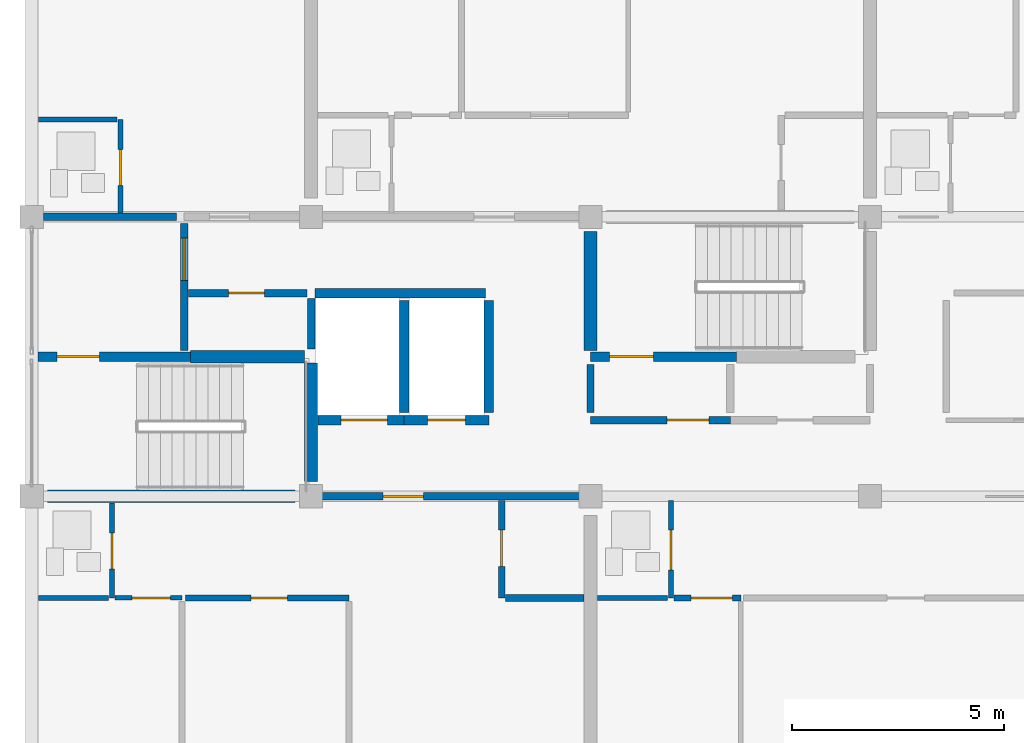
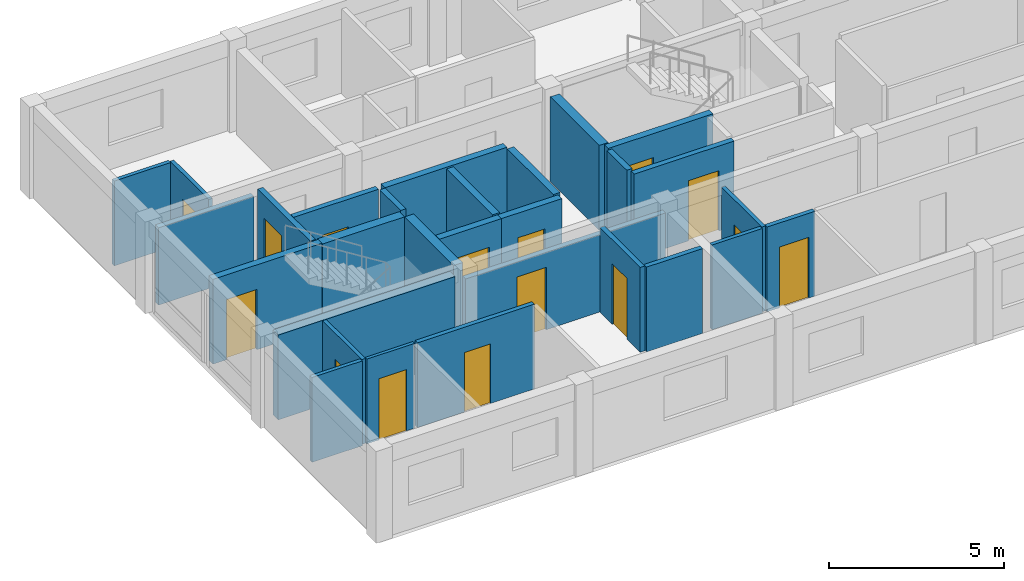
# One storey, part 31 of 45: 29 walls, 15 doors, 15 openings.
"""IFC4 building model written with IfcOpenShell, lengths in metres."""

import ifcopenshell
import ifcopenshell.guid

model = None  # the IFC model being written
_history = None  # IfcOwnerHistory: only IFC2X3 demands one
_inside = {}  # id of a spatial element -> (the spatial element, [elements in it])
_under = {}  # id of a project, library or spatial element -> (it, [spatial elements below it])
_declared = {}  # id of a project -> (the project, [libraries it declares])
_typed = {}  # id of a type object -> (the type object, [elements of that type])
_made_of = {}  # id of a material, layer set ... -> (it, [elements and type objects made of it])


def new_model(schema):
    """Start an empty IFC model of exactly this schema.

    Asked for "IFC4X3", IfcOpenShell would pick the latest addendum, in which some entities
    have other attributes; the version numbers below select the first issue.
    IFC2X3 requires an IfcOwnerHistory on every rooted entity: one is made here for all.
    """
    global model, _history
    if schema == "IFC4X3":
        model = ifcopenshell.file(schema_version=(4, 3, 0, 0))
    else:
        model = ifcopenshell.file(schema=schema)
    _inside.clear()
    _under.clear()
    _declared.clear()
    _typed.clear()
    _made_of.clear()
    _history = None
    if model.schema == "IFC2X3":
        org = make("IfcOrganization", Name="unknown")
        user = make(
            "IfcPersonAndOrganization",
            ThePerson=make("IfcPerson", FamilyName="unknown"),
            TheOrganization=org,
        )
        app = make(
            "IfcApplication",
            ApplicationDeveloper=org,
            Version="unknown",
            ApplicationFullName="unknown",
            ApplicationIdentifier="unknown",
        )
        _history = make(
            "IfcOwnerHistory",
            OwningUser=user,
            OwningApplication=app,
            ChangeAction="ADDED",
            CreationDate=0,
        )
    return model


def make(cls, **values):
    """One entity of the class cls with the attributes given. An attribute that is None is left unset."""
    return model.create_entity(
        cls, **{name: value for name, value in values.items() if value is not None}
    )


def rooted(cls, **values):
    """An entity with a GlobalId (a new one), such as an element, a storey or a relation."""
    return make(cls, GlobalId=ifcopenshell.guid.new(), OwnerHistory=_history, **values)


def si_unit(unit_type, name, prefix=None):
    """IfcSIUnit, for example si_unit("LENGTHUNIT", "METRE", prefix="MILLI")."""
    return make("IfcSIUnit", UnitType=unit_type, Prefix=prefix, Name=name)


def assignment(units):
    """IfcUnitAssignment: the units of a project."""
    return None if units is None else make("IfcUnitAssignment", Units=units)


def point(xyz):
    """IfcCartesianPoint."""
    return None if xyz is None else make("IfcCartesianPoint", Coordinates=xyz)


def direction(xyz):
    """IfcDirection."""
    return None if xyz is None else make("IfcDirection", DirectionRatios=xyz)


def frame(location, z_axis=None, x_axis=None):
    """IfcAxis2Placement3D, a coordinate frame: its origin and axes. An axis left out is left unset."""
    return make(
        "IfcAxis2Placement3D",
        Location=point(location),
        Axis=direction(z_axis),
        RefDirection=direction(x_axis),
    )


def frame_2d(location, x_axis=None):
    """IfcAxis2Placement2D, a coordinate frame in the plane: its origin and x axis."""
    return make(
        "IfcAxis2Placement2D", Location=point(location), RefDirection=direction(x_axis)
    )


def origin():
    """The frame at (0, 0, 0) with its axes left unset."""
    return frame((0.0, 0.0, 0.0))


def place(relative_to, where):
    """IfcLocalPlacement: puts the frame where relative to a parent placement (None: the world)."""
    return make(
        "IfcLocalPlacement", PlacementRelTo=relative_to, RelativePlacement=where
    )


def context(
    kind, dimensions, precision=None, world=None, true_north=None, identifier=None
):
    """IfcGeometricRepresentationContext, for example the 3D "Model" context."""
    return make(
        "IfcGeometricRepresentationContext",
        ContextIdentifier=identifier,
        ContextType=kind,
        CoordinateSpaceDimension=dimensions,
        Precision=precision,
        WorldCoordinateSystem=world,
        TrueNorth=true_north,
    )


def subcontext(parent, identifier, kind, view, scale=None):
    """IfcGeometricRepresentationSubContext, for example "Body" below "Model"."""
    return make(
        "IfcGeometricRepresentationSubContext",
        ContextIdentifier=identifier,
        ContextType=kind,
        ParentContext=parent,
        TargetScale=scale,
        TargetView=view,
    )


def project(units=None, contexts=None):
    """IfcProject with its units and contexts."""
    return rooted(
        "IfcProject",
        Name="project",
        RepresentationContexts=contexts,
        UnitsInContext=assignment(units),
    )


def spatial(cls, under=None, at=None, **own):
    """A site, building, storey or space (cls), placed at a placement, below another one or the project."""
    s = rooted(cls, ObjectPlacement=at, **own)
    if under is not None:
        _under.setdefault(under.id(), (under, []))[1].append(s)
    return s


def profile(cls, at=None, kind="AREA", **sizes):
    """A parametric profile (cls). Its sizes go by their IFC names, for example OverallWidth=200.0."""
    return make(cls, ProfileType=kind, Position=at, **sizes)


def rectangle(**sizes):
    """IfcRectangleProfileDef."""
    return profile("IfcRectangleProfileDef", **sizes)


def extrude(swept, where, along, depth):
    """IfcExtrudedAreaSolid: the profile swept, set in the frame where, extruded along a direction by depth."""
    return make(
        "IfcExtrudedAreaSolid",
        SweptArea=swept,
        Position=where,
        ExtrudedDirection=direction(along),
        Depth=depth,
    )


def shape(context_of_items, identifier, shape_type, items):
    """IfcShapeRepresentation: the items that make up one representation, for example the "Body"."""
    return make(
        "IfcShapeRepresentation",
        ContextOfItems=context_of_items,
        RepresentationIdentifier=identifier,
        RepresentationType=shape_type,
        Items=items,
    )


def material(Name=None, Category=None):
    """IfcMaterial."""
    return make("IfcMaterial", Name=Name, Category=Category)


def layer(
    of_material, thickness, ventilated=None, Name=None, Category=None, Priority=None
):
    """IfcMaterialLayer: one layer of a wall or slab, of a material (None: an air gap)."""
    return make(
        "IfcMaterialLayer",
        Material=of_material,
        LayerThickness=thickness,
        IsVentilated=ventilated,
        Name=Name,
        Category=Category,
        Priority=Priority,
    )


def layer_set(layers, Name=None):
    """IfcMaterialLayerSet."""
    return make("IfcMaterialLayerSet", MaterialLayers=layers, LayerSetName=Name)


def made_of(thing, what):
    """Note that an element or type object is made of a material, layer set ...; save() writes the relation."""
    if what is not None:
        _made_of.setdefault(what.id(), (what, []))[1].append(thing)
    return thing


def type_object(cls, material=None, **own):
    """A type object (cls), such as IfcWallType, which elements share."""
    return made_of(rooted(cls, **own), material)


def element(
    cls,
    number,
    at=None,
    inside=None,
    cuts=None,
    type_object=None,
    material=None,
    context=None,
    identifier="Body",
    shape_type=None,
    held_by="IfcProductDefinitionShape",
    body=None,
    shapes=None,
    **own,
):
    """One element of the class cls, such as IfcWall. Its Tag is "e" and its number.

    at: its placement. inside: the storey or other place that contains it. cuts: it is an
    opening in that element (IfcRelVoidsElement). A single representation is given by context,
    identifier, shape_type and body (its items); several are given by shapes. held_by: the class
    of the entity that holds the representations. save() writes the other relations.
    """
    e = rooted(cls, Tag="e%d" % number, ObjectPlacement=at, **own)
    if body is not None:
        shapes = [shape(context, identifier, shape_type, body)]
    if shapes is not None:
        e.Representation = make(held_by, Representations=shapes)
    if inside is not None:
        _inside.setdefault(inside.id(), (inside, []))[1].append(e)
    if cuts is not None:
        rooted(
            "IfcRelVoidsElement", RelatingBuildingElement=cuts, RelatedOpeningElement=e
        )
    if type_object is not None:
        _typed.setdefault(type_object.id(), (type_object, []))[1].append(e)
    return made_of(e, material)


def fill(opening, filler):
    """IfcRelFillsElement: the door or window that sits in an opening."""
    return rooted(
        "IfcRelFillsElement",
        RelatingOpeningElement=opening,
        RelatedBuildingElement=filler,
    )


def aggregate(whole, parts):
    """IfcRelAggregates: a whole, such as a stair, and the parts it consists of."""
    return rooted("IfcRelAggregates", RelatingObject=whole, RelatedObjects=parts)


def save(model, path):
    """Write the relations noted so far, then the file.

    IfcRelAggregates (storeys below a building ...), IfcRelContainedInSpatialStructure (elements
    in a storey), IfcRelDefinesByType, IfcRelAssociatesMaterial and IfcRelDeclares: one each for
    every whole, place, type object, material and project.
    """
    for whole, parts in _under.values():
        aggregate(whole, parts)
    for where, things in _inside.values():
        rooted(
            "IfcRelContainedInSpatialStructure",
            RelatedElements=things,
            RelatingStructure=where,
        )
    for kind, things in _typed.values():
        rooted("IfcRelDefinesByType", RelatedObjects=things, RelatingType=kind)
    for what, things in _made_of.values():
        rooted("IfcRelAssociatesMaterial", RelatedObjects=things, RelatingMaterial=what)
    for by, libraries in _declared.values():
        rooted("IfcRelDeclares", RelatingContext=by, RelatedDefinitions=libraries)
    model.write(path)


model = new_model("IFC4")

# Units and contexts
model_context = context("Model", 3, precision=1e-05, world=origin(), true_north=direction((0.0, 1.0)))
body_context = subcontext(model_context, "Body", "Model", "MODEL_VIEW")
ifc_project = project(units=[si_unit("LENGTHUNIT", "METRE"), si_unit("AREAUNIT", "SQUARE_METRE"), si_unit("VOLUMEUNIT", "CUBIC_METRE"), si_unit("PLANEANGLEUNIT", "RADIAN"), si_unit("MASSUNIT", "GRAM", prefix="KILO")], contexts=[model_context])

# Site, building, storey
site_placement = place(None, origin())
site = spatial("IfcSite", under=ifc_project, at=site_placement, CompositionType="ELEMENT")
building_placement = place(site_placement, origin())
building = spatial("IfcBuilding", under=site, at=building_placement, Name="Kernevlak Ridge Housing Community", CompositionType="ELEMENT")
storey_placement = place(building_placement, frame((0.0, 0.0, 14.800048828125)))
storey = spatial("IfcBuildingStorey", under=building, at=storey_placement, Name="L04", CompositionType="ELEMENT", Elevation=14.800048828125)

# Wall, opening, door
ifc_material_1 = material(Name="Concrete C35/45", Category="concrete")
ifc_layer_1 = layer(ifc_material_1, 0.22509765625, Name="Concrete C35/45")
ifc_layer_set_1 = layer_set([ifc_layer_1], Name="Concrete C35/45")
wall_type_1 = type_object("IfcWallType", Name="PW-01", PredefinedType="STANDARD", material=ifc_layer_set_1)
wall_1_placement = place(storey_placement, frame((15.75, 85.89990234375, 0.0), z_axis=(0.0, 0.0, 1.0), x_axis=(1.0, 0.0, 0.0)))
wall_1 = element("IfcWall", 1, at=wall_1_placement, inside=storey, type_object=wall_type_1, Name="Interior wall PW-01 WAL-INT-L04-0250", PredefinedType="STANDARD", context=body_context, shape_type="SweptSolid", body=[
    extrude(rectangle(XDim=3.60009765625, YDim=0.22509765625, at=frame_2d((1.800048828125, 0.0))), origin(), (0.0, 0.0, 1.0), 2.9599609375),
])
opening_1_placement = place(wall_1_placement, frame((0.449951171875, 0.0, 0.0)))
opening_1 = element("IfcOpeningElement", 2, at=opening_1_placement, cuts=wall_1, Name="Opening D126", PredefinedType="OPENING", context=body_context, shape_type="SweptSolid", body=[
    extrude(rectangle(XDim=1.0, YDim=2.10009765625, at=frame_2d((0.5, 1.050048828125))), frame((0.0, 0.12255859375, 0.0), z_axis=(0.0, -1.0, 0.0), x_axis=(1.0, 0.0, 0.0)), (0.0, 0.0, 1.0), 0.2451171875),
])
ifc_material_2 = material(Name="Fire-rated sheet steel leaf", Category="steel")
door_type_1 = type_object("IfcDoorType", Name="DT-05", OperationType="NOTDEFINED", PredefinedType="DOOR", material=ifc_material_2)
door_1_placement = place(opening_1_placement, origin())
door_1 = element("IfcDoor", 3, at=door_1_placement, inside=storey, type_object=door_type_1, Name="Block A Stair 1 fire door D126", OperationType="SINGLE_SWING_RIGHT", OverallHeight=2.10009765625, OverallWidth=1.0, PredefinedType="DOOR", context=body_context, shape_type="SweptSolid", body=[
    extrude(rectangle(XDim=1.0, YDim=2.10009765625, at=frame_2d((0.5, 1.050048828125))), frame((0.0, 0.02490234375, 0.0), z_axis=(0.0, -1.0, 0.0), x_axis=(1.0, 0.0, 0.0)), (0.0, 0.0, 1.0), 0.050048828125),
])
fill(opening_1, door_1)

wall_2_placement = place(storey_placement, frame((22.360107421875, 84.39990234375, 0.0), z_axis=(0.0, 0.0, 1.0), x_axis=(1.0, 0.0, 0.0)))
wall_2 = element("IfcWall", 4, at=wall_2_placement, inside=storey, type_object=wall_type_1, Name="Interior wall PW-01 WAL-INT-L04-0254", PredefinedType="STANDARD", context=body_context, shape_type="SweptSolid", body=[
    extrude(rectangle(XDim=2.039794921875, YDim=0.22509765625, at=frame_2d((1.02001953125, 0.0))), origin(), (0.0, 0.0, 1.0), 2.9599609375),
])
opening_2_placement = place(wall_2_placement, frame((0.550048828125, 0.0, 0.0)))
opening_2 = element("IfcOpeningElement", 5, at=opening_2_placement, cuts=wall_2, Name="Opening LD10", PredefinedType="OPENING", context=body_context, shape_type="SweptSolid", body=[
    extrude(rectangle(XDim=1.10009765625, YDim=2.10009765625, at=frame_2d((0.550048828125, 1.050048828125))), frame((0.0, 0.12255859375, 0.0), z_axis=(0.0, -1.0, 0.0), x_axis=(1.0, 0.0, 0.0)), (0.0, 0.0, 1.0), 0.2451171875),
])
ifc_material_3 = material(Name="Stainless steel EN 1.4401", Category="steel")
door_type_2 = type_object("IfcDoorType", Name="DT-LD1", OperationType="DOUBLE_DOOR_SLIDING", PredefinedType="DOOR", material=ifc_material_3)
door_2_placement = place(opening_2_placement, origin())
door_2 = element("IfcDoor", 6, at=door_2_placement, inside=storey, type_object=door_type_2, Name="Lift LF-A1 landing door LD10", OperationType="DOUBLE_DOOR_SLIDING", OverallHeight=2.10009765625, OverallWidth=1.10009765625, PredefinedType="DOOR", context=body_context, shape_type="SweptSolid", body=[
    extrude(rectangle(XDim=1.10009765625, YDim=2.10009765625, at=frame_2d((0.550048828125, 1.050048828125))), frame((0.0, 0.02490234375, 0.0), z_axis=(0.0, -1.0, 0.0), x_axis=(1.0, 0.0, 0.0)), (0.0, 0.0, 1.0), 0.050048828125),
])
fill(opening_2, door_2)

wall_3_placement = place(storey_placement, frame((24.39990234375, 84.39990234375, 0.0), z_axis=(0.0, 0.0, 1.0), x_axis=(1.0, 0.0, 0.0)))
wall_3 = element("IfcWall", 7, at=wall_3_placement, inside=storey, type_object=wall_type_1, Name="Interior wall PW-01 WAL-INT-L04-0255", PredefinedType="STANDARD", context=body_context, shape_type="SweptSolid", body=[
    extrude(rectangle(XDim=2.0, YDim=0.22509765625, at=frame_2d((1.0, 0.0))), origin(), (0.0, 0.0, 1.0), 2.9599609375),
])
opening_3_placement = place(wall_3_placement, frame((0.550048828125, 0.0, 0.0)))
opening_3 = element("IfcOpeningElement", 8, at=opening_3_placement, cuts=wall_3, Name="Opening LD11", PredefinedType="OPENING", context=body_context, shape_type="SweptSolid", body=[
    extrude(rectangle(XDim=0.89990234375, YDim=2.10009765625, at=frame_2d((0.449951171875, 1.050048828125))), frame((0.0, 0.12255859375, 0.0), z_axis=(0.0, -1.0, 0.0), x_axis=(1.0, 0.0, 0.0)), (0.0, 0.0, 1.0), 0.2451171875),
])
door_type_3 = type_object("IfcDoorType", Name="DT-LD2", OperationType="DOUBLE_DOOR_SLIDING", PredefinedType="DOOR", material=ifc_material_3)
door_3_placement = place(opening_3_placement, origin())
door_3 = element("IfcDoor", 9, at=door_3_placement, inside=storey, type_object=door_type_3, Name="Lift LF-A2 landing door LD11", OperationType="DOUBLE_DOOR_SLIDING", OverallHeight=2.10009765625, OverallWidth=0.89990234375, PredefinedType="DOOR", context=body_context, shape_type="SweptSolid", body=[
    extrude(rectangle(XDim=0.89990234375, YDim=2.10009765625, at=frame_2d((0.449951171875, 1.050048828125))), frame((0.0, 0.02490234375, 0.0), z_axis=(0.0, -1.0, 0.0), x_axis=(1.0, 0.0, 0.0)), (0.0, 0.0, 1.0), 0.050048828125),
])
fill(opening_3, door_3)

# Walls
wall_4_placement = place(storey_placement, frame((22.297607421875, 87.39990234375, 0.0), z_axis=(0.0, 0.0, 1.0), x_axis=(1.0, 0.0, 0.0)))
element("IfcWall", 10, at=wall_4_placement, inside=storey, type_object=wall_type_1, Name="Interior wall PW-01 WAL-INT-L04-0256", PredefinedType="STANDARD", context=body_context, shape_type="SweptSolid", body=[
    extrude(rectangle(XDim=4.0224609375, YDim=0.22509765625, at=frame_2d((2.01123046875, 0.0))), origin(), (0.0, 0.0, 1.0), 2.9599609375),
])
for number, where, z_axis, x_axis, name in (
    (11, (24.39990234375, 84.580078125, 0.0), (0.0, 0.0, 1.0), (0.0, 1.0, 0.0), "Interior wall PW-01 WAL-INT-L04-0258"),
    (12, (26.39990234375, 84.580078125, 0.0), (0.0, 0.0, 1.0), (0.0, 1.0, 0.0), "Interior wall PW-01 WAL-INT-L04-0259"),
):
    element("IfcWall", number, at=place(storey_placement, frame(where, z_axis=z_axis, x_axis=x_axis)), inside=storey, type_object=wall_type_1, Name=name, PredefinedType="STANDARD", context=body_context, shape_type="SweptSolid", body=[
        extrude(rectangle(XDim=2.639892578125, YDim=0.22509765625, at=frame_2d((1.31982421875, 0.0))), origin(), (0.0, 0.0, 1.0), 2.9599609375),
    ])

# Wall, opening, door
wall_5_placement = place(storey_placement, frame((28.800048828125, 85.89990234375, 0.0), z_axis=(0.0, 0.0, 1.0), x_axis=(1.0, 0.0, 0.0)))
wall_5 = element("IfcWall", 13, at=wall_5_placement, inside=storey, type_object=wall_type_1, Name="Interior wall PW-01 WAL-INT-L04-0260", PredefinedType="STANDARD", context=body_context, shape_type="SweptSolid", body=[
    extrude(rectangle(XDim=3.449951171875, YDim=0.22509765625, at=frame_2d((1.72509765625, 0.0))), origin(), (0.0, 0.0, 1.0), 2.9599609375),
])
opening_4_placement = place(wall_5_placement, frame((0.449951171875, 0.0, 0.0)))
opening_4 = element("IfcOpeningElement", 14, at=opening_4_placement, cuts=wall_5, Name="Opening D129", PredefinedType="OPENING", context=body_context, shape_type="SweptSolid", body=[
    extrude(rectangle(XDim=1.0400390625, YDim=2.1201171875, at=frame_2d((0.52001953125, 1.06005859375))), frame((0.0, 0.12255859375, 0.0), z_axis=(0.0, -1.0, 0.0), x_axis=(1.0, 0.0, 0.0)), (0.0, 0.0, 1.0), 0.2451171875),
])
door_type_4 = type_object("IfcDoorType", Name="DT-16", OperationType="NOTDEFINED", PredefinedType="DOOR", material=ifc_material_2)
door_4_placement = place(opening_4_placement, origin())
door_4 = element("IfcDoor", 15, at=door_4_placement, inside=storey, type_object=door_type_4, Name="Block A Stair 2 fire door D129", OperationType="SINGLE_SWING_LEFT", OverallHeight=2.1201171875, OverallWidth=1.0400390625, PredefinedType="DOOR", context=body_context, shape_type="SweptSolid", body=[
    extrude(rectangle(XDim=1.0400390625, YDim=2.1201171875, at=frame_2d((0.52001953125, 1.06005859375))), frame((0.0, 0.02490234375, 0.0), z_axis=(0.0, -1.0, 0.0), x_axis=(1.0, 0.0, 0.0)), (0.0, 0.0, 1.0), 0.050048828125),
])
fill(opening_4, door_4)

ifc_material_4 = material(Name="Concrete block masonry M10", Category="masonry")
ifc_layer_2 = layer(ifc_material_4, 0.175048828125, Name="Concrete block masonry M10")
ifc_layer_set_2 = layer_set([ifc_layer_2], Name="Concrete block masonry M10")
wall_type_2 = type_object("IfcWallType", Name="PW-02", PredefinedType="PARTITIONING", material=ifc_layer_set_2)
wall_6_placement = place(storey_placement, frame((19.199951171875, 86.050048828125, 0.0), z_axis=(0.0, 0.0, 1.0), x_axis=(0.0, 1.0, 0.0)))
wall_6 = element("IfcWall", 16, at=wall_6_placement, inside=storey, type_object=wall_type_2, Name="Interior wall PW-02 WAL-INT-L04-0251", PredefinedType="PARTITIONING", context=body_context, shape_type="SweptSolid", body=[
    extrude(rectangle(XDim=3.0, YDim=0.175048828125, at=frame_2d((1.5, 0.0))), origin(), (0.0, 0.0, 1.0), 2.9599609375),
])
opening_5_placement = place(wall_6_placement, frame((1.64990234375, 0.0, 0.0)))
opening_5 = element("IfcOpeningElement", 17, at=opening_5_placement, cuts=wall_6, Name="Opening D127", PredefinedType="OPENING", context=body_context, shape_type="SweptSolid", body=[
    extrude(rectangle(XDim=1.0, YDim=2.159912109375, at=frame_2d((0.5, 1.080078125))), frame((0.0, 0.097412109375, 0.0), z_axis=(0.0, -1.0, 0.0), x_axis=(1.0, 0.0, 0.0)), (0.0, 0.0, 1.0), 0.195068359375),
])
door_type_5 = type_object("IfcDoorType", Name="DT-15", OperationType="NOTDEFINED", PredefinedType="DOOR", material=ifc_material_2)
door_5_placement = place(opening_5_placement, origin())
door_5 = element("IfcDoor", 18, at=door_5_placement, inside=storey, type_object=door_type_5, Name="Block A Firefighting lobby 1 door D127", OperationType="SINGLE_SWING_LEFT", OverallHeight=2.159912109375, OverallWidth=1.0, PredefinedType="DOOR", context=body_context, shape_type="SweptSolid", body=[
    extrude(rectangle(XDim=1.0, YDim=2.159912109375, at=frame_2d((0.5, 1.080078125))), frame((0.0, 0.02490234375, 0.0), z_axis=(0.0, -1.0, 0.0), x_axis=(1.0, 0.0, 0.0)), (0.0, 0.0, 1.0), 0.050048828125),
])
fill(opening_5, door_5)

wall_7_placement = place(storey_placement, frame((19.300048828125, 87.39990234375, 0.0), z_axis=(0.0, 0.0, 1.0), x_axis=(1.0, 0.0, 0.0)))
wall_7 = element("IfcWall", 19, at=wall_7_placement, inside=storey, type_object=wall_type_2, Name="Interior wall PW-02 WAL-INT-L04-0252", PredefinedType="PARTITIONING", context=body_context, shape_type="SweptSolid", body=[
    extrude(rectangle(XDim=2.800048828125, YDim=0.175048828125, at=frame_2d((1.39990234375, 0.0))), origin(), (0.0, 0.0, 1.0), 2.9599609375),
])
opening_6_placement = place(wall_7_placement, frame((0.949951171875, 0.0, 0.0)))
opening_6 = element("IfcOpeningElement", 20, at=opening_6_placement, cuts=wall_7, Name="Opening D128", PredefinedType="OPENING", context=body_context, shape_type="SweptSolid", body=[
    extrude(rectangle(XDim=0.85009765625, YDim=2.0, at=frame_2d((0.425048828125, 1.0))), frame((0.0, 0.097412109375, 0.0), z_axis=(0.0, -1.0, 0.0), x_axis=(1.0, 0.0, 0.0)), (0.0, 0.0, 1.0), 0.195068359375),
])
door_type_6 = type_object("IfcDoorType", Name="DT-07", OperationType="NOTDEFINED", PredefinedType="DOOR", material=ifc_material_2)
door_6_placement = place(opening_6_placement, origin())
door_6 = element("IfcDoor", 21, at=door_6_placement, inside=storey, type_object=door_type_6, Name="Block A Riser shaft door D128", OperationType="SINGLE_SWING_RIGHT", OverallHeight=2.0, OverallWidth=0.85009765625, PredefinedType="DOOR", context=body_context, shape_type="SweptSolid", body=[
    extrude(rectangle(XDim=0.85009765625, YDim=2.0, at=frame_2d((0.425048828125, 1.0))), frame((0.0, 0.02490234375, 0.0), z_axis=(0.0, -1.0, 0.0), x_axis=(1.0, 0.0, 0.0)), (0.0, 0.0, 1.0), 0.050048828125),
])
fill(opening_6, door_6)

# Wall
wall_8_placement = place(storey_placement, frame((22.199951171875, 86.080078125, 0.0), z_axis=(0.0, 0.0, 1.0), x_axis=(0.0, 1.0, 0.0)))
element("IfcWall", 22, at=wall_8_placement, inside=storey, type_object=wall_type_2, Name="Interior wall PW-02 WAL-INT-L04-0253", PredefinedType="PARTITIONING", context=body_context, shape_type="SweptSolid", body=[
    extrude(rectangle(XDim=1.18994140625, YDim=0.175048828125, at=frame_2d((0.594970703125, 0.0))), origin(), (0.0, 0.0, 1.0), 2.9599609375),
])

# Wall, opening, door
wall_9_placement = place(storey_placement, frame((28.800048828125, 84.39990234375, 0.0), z_axis=(0.0, 0.0, 1.0), x_axis=(1.0, 0.0, 0.0)))
wall_9 = element("IfcWall", 23, at=wall_9_placement, inside=storey, type_object=wall_type_2, Name="Interior wall PW-02 WAL-INT-L04-0261", PredefinedType="PARTITIONING", context=body_context, shape_type="SweptSolid", body=[
    extrude(rectangle(XDim=3.300048828125, YDim=0.175048828125, at=frame_2d((1.64990234375, 0.0))), origin(), (0.0, 0.0, 1.0), 2.9599609375),
])
opening_7_placement = place(wall_9_placement, frame((1.800048828125, 0.0, 0.0)))
opening_7 = element("IfcOpeningElement", 24, at=opening_7_placement, cuts=wall_9, Name="Opening D130", PredefinedType="OPENING", context=body_context, shape_type="SweptSolid", body=[
    extrude(rectangle(XDim=1.0, YDim=2.10009765625, at=frame_2d((0.5, 1.050048828125))), frame((0.0, 0.097412109375, 0.0), z_axis=(0.0, -1.0, 0.0), x_axis=(1.0, 0.0, 0.0)), (0.0, 0.0, 1.0), 0.195068359375),
])
door_7_placement = place(opening_7_placement, origin())
door_7 = element("IfcDoor", 25, at=door_7_placement, inside=storey, type_object=door_type_1, Name="Block A Firefighting lobby 2 door D130", OperationType="SINGLE_SWING_RIGHT", OverallHeight=2.10009765625, OverallWidth=1.0, PredefinedType="DOOR", context=body_context, shape_type="SweptSolid", body=[
    extrude(rectangle(XDim=1.0, YDim=2.10009765625, at=frame_2d((0.5, 1.050048828125))), frame((0.0, 0.02490234375, 0.0), z_axis=(0.0, -1.0, 0.0), x_axis=(1.0, 0.0, 0.0)), (0.0, 0.0, 1.0), 0.050048828125),
])
fill(opening_7, door_7)

# Wall
wall_10_placement = place(storey_placement, frame((28.800048828125, 84.580078125, 0.0), z_axis=(0.0, 0.0, 1.0), x_axis=(0.0, 1.0, 0.0)))
element("IfcWall", 26, at=wall_10_placement, inside=storey, type_object=wall_type_2, Name="Interior wall PW-02 WAL-INT-L04-0263", PredefinedType="PARTITIONING", context=body_context, shape_type="SweptSolid", body=[
    extrude(rectangle(XDim=1.139892578125, YDim=0.175048828125, at=frame_2d((0.56982421875, 0.0))), origin(), (0.0, 0.0, 1.0), 2.9599609375),
])

# Wall, opening, door
wall_11_placement = place(storey_placement, frame((22.199951171875, 82.60009765625, 0.0), z_axis=(0.0, 0.0, 1.0), x_axis=(1.0, 0.0, 0.0)))
wall_11 = element("IfcWall", 27, at=wall_11_placement, inside=storey, type_object=wall_type_2, Name="Interior wall PW-02 WAL-INT-L04-0271", PredefinedType="PARTITIONING", context=body_context, shape_type="SweptSolid", body=[
    extrude(rectangle(XDim=6.60009765625, YDim=0.175048828125, at=frame_2d((3.300048828125, 0.0))), origin(), (0.0, 0.0, 1.0), 2.699951171875),
])
opening_8_placement = place(wall_11_placement, frame((1.699951171875, 0.0, 0.0)))
opening_8 = element("IfcOpeningElement", 28, at=opening_8_placement, cuts=wall_11, Name="Opening D134", PredefinedType="OPENING", context=body_context, shape_type="SweptSolid", body=[
    extrude(rectangle(XDim=0.9599609375, YDim=2.179931640625, at=frame_2d((0.47998046875, 1.08984375))), frame((0.0, 0.097412109375, 0.0), z_axis=(0.0, -1.0, 0.0), x_axis=(1.0, 0.0, 0.0)), (0.0, 0.0, 1.0), 0.195068359375),
])
ifc_material_5 = material(Name="Hardwood timber solid-core fire leaf", Category="wood")
door_type_7 = type_object("IfcDoorType", Name="DT-29", OperationType="NOTDEFINED", PredefinedType="DOOR", material=ifc_material_5)
door_8_placement = place(opening_8_placement, origin())
door_8 = element("IfcDoor", 29, at=door_8_placement, inside=storey, type_object=door_type_7, Name="Flat A0411 entrance fire door D134", OperationType="SINGLE_SWING_RIGHT", OverallHeight=2.179931640625, OverallWidth=0.9599609375, PredefinedType="DOOR", context=body_context, shape_type="SweptSolid", body=[
    extrude(rectangle(XDim=0.9599609375, YDim=2.179931640625, at=frame_2d((0.47998046875, 1.08984375))), frame((0.0, 0.02490234375, 0.0), z_axis=(0.0, -1.0, 0.0), x_axis=(1.0, 0.0, 0.0)), (0.0, 0.0, 1.0), 0.050048828125),
])
fill(opening_8, door_8)

# Wall
wall_12_placement = place(storey_placement, frame((15.8798828125, 89.199951171875, 0.0), z_axis=(0.0, 0.0, 1.0), x_axis=(1.0, 0.0, 0.0)))
element("IfcWall", 30, at=wall_12_placement, inside=storey, type_object=wall_type_2, Name="Interior wall PW-02 WAL-INT-L04-0289", PredefinedType="PARTITIONING", context=body_context, shape_type="SweptSolid", body=[
    extrude(rectangle(XDim=3.14013671875, YDim=0.175048828125, at=frame_2d((1.570068359375, 0.0))), origin(), (0.0, 0.0, 1.0), 2.699951171875),
])

# Wall, opening, door
ifc_layer_3 = layer(ifc_material_4, 0.14501953125, Name="Concrete block masonry M10")
ifc_layer_set_3 = layer_set([ifc_layer_3], Name="Concrete block masonry M10")
wall_type_3 = type_object("IfcWallType", Name="PW-03", PredefinedType="PARTITIONING", material=ifc_layer_set_3)
wall_13_placement = place(storey_placement, frame((19.232421875, 80.199951171875, 0.0), z_axis=(0.0, 0.0, 1.0), x_axis=(1.0, 0.0, 0.0)))
wall_13 = element("IfcWall", 31, at=wall_13_placement, inside=storey, type_object=wall_type_3, Name="Interior wall PW-03 WAL-INT-L04-0278", PredefinedType="PARTITIONING", context=body_context, shape_type="SweptSolid", body=[
    extrude(rectangle(XDim=3.859619140625, YDim=0.14501953125, at=frame_2d((1.9296875, 0.0))), origin(), (0.0, 0.0, 1.0), 2.9599609375),
])
opening_9_placement = place(wall_13_placement, frame((1.5458984375, 0.0, 0.0)))
opening_9 = element("IfcOpeningElement", 32, at=opening_9_placement, cuts=wall_13, Name="Opening D138", PredefinedType="OPENING", context=body_context, shape_type="SweptSolid", body=[
    extrude(rectangle(XDim=0.8701171875, YDim=2.080078125, at=frame_2d((0.43505859375, 1.0400390625))), frame((0.0, 0.08251953125, 0.0), z_axis=(0.0, -1.0, 0.0), x_axis=(1.0, 0.0, 0.0)), (0.0, 0.0, 1.0), 0.1650390625),
])
ifc_material_6 = material(Name="Hardwood timber leaf", Category="wood")
door_type_8 = type_object("IfcDoorType", Name="DT-32", OperationType="NOTDEFINED", PredefinedType="DOOR", material=ifc_material_6)
door_9_placement = place(opening_9_placement, origin())
door_9 = element("IfcDoor", 33, at=door_9_placement, inside=storey, type_object=door_type_8, Name="Flat A0411 bedroom door D138", OperationType="SINGLE_SWING_RIGHT", OverallHeight=2.080078125, OverallWidth=0.8701171875, PredefinedType="DOOR", context=body_context, shape_type="SweptSolid", body=[
    extrude(rectangle(XDim=0.8701171875, YDim=2.080078125, at=frame_2d((0.43505859375, 1.0400390625))), frame((0.0, 0.02490234375, 0.0), z_axis=(0.0, -1.0, 0.0), x_axis=(1.0, 0.0, 0.0)), (0.0, 0.0, 1.0), 0.050048828125),
])
fill(opening_9, door_9)

wall_14_placement = place(storey_placement, frame((30.7724609375, 80.199951171875, 0.0), z_axis=(0.0, 0.0, 1.0), x_axis=(1.0, 0.0, 0.0)))
wall_14 = element("IfcWall", 34, at=wall_14_placement, inside=storey, type_object=wall_type_3, Name="Interior wall PW-03 WAL-INT-L04-0285", PredefinedType="PARTITIONING", context=body_context, shape_type="SweptSolid", body=[
    extrude(rectangle(XDim=1.57763671875, YDim=0.14501953125, at=frame_2d((0.788818359375, 0.0))), origin(), (0.0, 0.0, 1.0), 2.9599609375),
])
opening_10_placement = place(wall_14_placement, frame((0.39990234375, 0.0, 0.0)))
opening_10 = element("IfcOpeningElement", 35, at=opening_10_placement, cuts=wall_14, Name="Opening D142", PredefinedType="OPENING", context=body_context, shape_type="SweptSolid", body=[
    extrude(rectangle(XDim=0.97998046875, YDim=2.1201171875, at=frame_2d((0.489990234375, 1.06005859375))), frame((0.0, 0.08251953125, 0.0), z_axis=(0.0, -1.0, 0.0), x_axis=(1.0, 0.0, 0.0)), (0.0, 0.0, 1.0), 0.1650390625),
])
door_type_9 = type_object("IfcDoorType", Name="DT-24", OperationType="NOTDEFINED", PredefinedType="DOOR", material=ifc_material_6)
door_10_placement = place(opening_10_placement, origin())
door_10 = element("IfcDoor", 36, at=door_10_placement, inside=storey, type_object=door_type_9, Name="Flat A0412 bedroom door D142", OperationType="SINGLE_SWING_RIGHT", OverallHeight=2.1201171875, OverallWidth=0.97998046875, PredefinedType="DOOR", context=body_context, shape_type="SweptSolid", body=[
    extrude(rectangle(XDim=0.97998046875, YDim=2.1201171875, at=frame_2d((0.489990234375, 1.06005859375))), frame((0.0, 0.02490234375, 0.0), z_axis=(0.0, -1.0, 0.0), x_axis=(1.0, 0.0, 0.0)), (0.0, 0.0, 1.0), 0.050048828125),
])
fill(opening_10, door_10)

ifc_material_7 = material(Name="Gypsum plasterboard EN 520", Category="gypsum")
ifc_layer_4 = layer(ifc_material_7, 0.125, Name="Gypsum plasterboard EN 520")
ifc_layer_set_4 = layer_set([ifc_layer_4], Name="Gypsum plasterboard EN 520")
wall_type_4 = type_object("IfcWallType", Name="PW-04", PredefinedType="PARTITIONING", material=ifc_layer_set_4)
wall_15_placement = place(storey_placement, frame((17.5, 82.43994140625, 0.0), z_axis=(0.0, 0.0, 1.0), x_axis=(0.0, -1.0, 0.0)))
wall_15 = element("IfcWall", 37, at=wall_15_placement, inside=storey, type_object=wall_type_4, Name="Interior wall PW-04 WAL-INT-L04-0272", PredefinedType="PARTITIONING", context=body_context, shape_type="SweptSolid", body=[
    extrude(rectangle(XDim=2.239990234375, YDim=0.125, at=frame_2d((1.1201171875, 0.0))), origin(), (0.0, 0.0, 1.0), 2.9599609375),
])
opening_11_placement = place(wall_15_placement, frame((0.699951171875, 0.0, 0.0)))
opening_11 = element("IfcOpeningElement", 38, at=opening_11_placement, cuts=wall_15, Name="Opening D135", PredefinedType="OPENING", context=body_context, shape_type="SweptSolid", body=[
    extrude(rectangle(XDim=0.85009765625, YDim=2.0400390625, at=frame_2d((0.425048828125, 1.02001953125))), frame((0.0, 0.072509765625, 0.0), z_axis=(0.0, -1.0, 0.0), x_axis=(1.0, 0.0, 0.0)), (0.0, 0.0, 1.0), 0.14501953125),
])
ifc_material_8 = material(Name="Hardwood timber moisture-resistant leaf", Category="wood")
door_type_10 = type_object("IfcDoorType", Name="DT-04", OperationType="NOTDEFINED", PredefinedType="DOOR", material=ifc_material_8)
door_11_placement = place(opening_11_placement, origin())
door_11 = element("IfcDoor", 39, at=door_11_placement, inside=storey, type_object=door_type_10, Name="Flat A0411 bathroom door D135", OperationType="SINGLE_SWING_LEFT", OverallHeight=2.0400390625, OverallWidth=0.85009765625, PredefinedType="DOOR", context=body_context, shape_type="SweptSolid", body=[
    extrude(rectangle(XDim=0.85009765625, YDim=2.0400390625, at=frame_2d((0.425048828125, 1.02001953125))), frame((0.0, 0.02490234375, 0.0), z_axis=(0.0, -1.0, 0.0), x_axis=(1.0, 0.0, 0.0)), (0.0, 0.0, 1.0), 0.050048828125),
])
fill(opening_11, door_11)

# Wall
wall_16_placement = place(storey_placement, frame((15.760009765625, 80.199951171875, 0.0), z_axis=(0.0, 0.0, 1.0), x_axis=(1.0, 0.0, 0.0)))
element("IfcWall", 40, at=wall_16_placement, inside=storey, type_object=wall_type_4, Name="Interior wall PW-04 WAL-INT-L04-0273", PredefinedType="PARTITIONING", context=body_context, shape_type="SweptSolid", body=[
    extrude(rectangle(XDim=1.659912109375, YDim=0.125, at=frame_2d((0.830078125, 0.0))), origin(), (0.0, 0.0, 1.0), 2.9599609375),
])

# Wall, opening, door
wall_17_placement = place(storey_placement, frame((30.699951171875, 82.50244140625, 0.0), z_axis=(0.0, 0.0, 1.0), x_axis=(0.0, -1.0, 0.0)))
wall_17 = element("IfcWall", 41, at=wall_17_placement, inside=storey, type_object=wall_type_4, Name="Interior wall PW-04 WAL-INT-L04-0281", PredefinedType="PARTITIONING", context=body_context, shape_type="SweptSolid", body=[
    extrude(rectangle(XDim=2.302490234375, YDim=0.125, at=frame_2d((1.1513671875, 0.0))), origin(), (0.0, 0.0, 1.0), 2.9599609375),
])
opening_12_placement = place(wall_17_placement, frame((0.699951171875, 0.0, 0.0)))
opening_12 = element("IfcOpeningElement", 42, at=opening_12_placement, cuts=wall_17, Name="Opening D140", PredefinedType="OPENING", context=body_context, shape_type="SweptSolid", body=[
    extrude(rectangle(XDim=0.93994140625, YDim=2.080078125, at=frame_2d((0.469970703125, 1.0400390625))), frame((0.0, 0.072509765625, 0.0), z_axis=(0.0, -1.0, 0.0), x_axis=(1.0, 0.0, 0.0)), (0.0, 0.0, 1.0), 0.14501953125),
])
door_type_11 = type_object("IfcDoorType", Name="DT-23", OperationType="NOTDEFINED", PredefinedType="DOOR", material=ifc_material_8)
door_12_placement = place(opening_12_placement, origin())
door_12 = element("IfcDoor", 43, at=door_12_placement, inside=storey, type_object=door_type_11, Name="Flat A0412 bathroom door D140", OperationType="SINGLE_SWING_RIGHT", OverallHeight=2.080078125, OverallWidth=0.93994140625, PredefinedType="DOOR", context=body_context, shape_type="SweptSolid", body=[
    extrude(rectangle(XDim=0.93994140625, YDim=2.080078125, at=frame_2d((0.469970703125, 1.0400390625))), frame((0.0, 0.02490234375, 0.0), z_axis=(0.0, -1.0, 0.0), x_axis=(1.0, 0.0, 0.0)), (0.0, 0.0, 1.0), 0.050048828125),
])
fill(opening_12, door_12)

# Wall
wall_18_placement = place(storey_placement, frame((28.9599609375, 80.199951171875, 0.0), z_axis=(0.0, 0.0, 1.0), x_axis=(1.0, 0.0, 0.0)))
element("IfcWall", 44, at=wall_18_placement, inside=storey, type_object=wall_type_4, Name="Interior wall PW-04 WAL-INT-L04-0282", PredefinedType="PARTITIONING", context=body_context, shape_type="SweptSolid", body=[
    extrude(rectangle(XDim=1.66015625, YDim=0.125, at=frame_2d((0.830078125, 0.0))), origin(), (0.0, 0.0, 1.0), 2.9599609375),
])

# Wall, opening, door
wall_19_placement = place(storey_placement, frame((17.699951171875, 89.297607421875, 0.0), z_axis=(0.0, 0.0, 1.0), x_axis=(0.0, 1.0, 0.0)))
wall_19 = element("IfcWall", 45, at=wall_19_placement, inside=storey, type_object=wall_type_4, Name="Interior wall PW-04 WAL-INT-L04-0291", PredefinedType="PARTITIONING", context=body_context, shape_type="SweptSolid", body=[
    extrude(rectangle(XDim=2.202392578125, YDim=0.125, at=frame_2d((1.10107421875, 0.0))), origin(), (0.0, 0.0, 1.0), 2.9599609375),
])
opening_13_placement = place(wall_19_placement, frame((0.64990234375, 0.0, 0.0)))
opening_13 = element("IfcOpeningElement", 46, at=opening_13_placement, cuts=wall_19, Name="Opening D145", PredefinedType="OPENING", context=body_context, shape_type="SweptSolid", body=[
    extrude(rectangle(XDim=0.840087890625, YDim=2.06005859375, at=frame_2d((0.419921875, 1.030029296875))), frame((0.0, 0.072509765625, 0.0), z_axis=(0.0, -1.0, 0.0), x_axis=(1.0, 0.0, 0.0)), (0.0, 0.0, 1.0), 0.14501953125),
])
door_type_12 = type_object("IfcDoorType", Name="DT-27", OperationType="NOTDEFINED", PredefinedType="DOOR", material=ifc_material_8)
door_13_placement = place(opening_13_placement, origin())
door_13 = element("IfcDoor", 47, at=door_13_placement, inside=storey, type_object=door_type_12, Name="Flat A0421 bathroom door D145", OperationType="SINGLE_SWING_LEFT", OverallHeight=2.06005859375, OverallWidth=0.840087890625, PredefinedType="DOOR", context=body_context, shape_type="SweptSolid", body=[
    extrude(rectangle(XDim=0.840087890625, YDim=2.06005859375, at=frame_2d((0.419921875, 1.030029296875))), frame((0.0, 0.02490234375, 0.0), z_axis=(0.0, -1.0, 0.0), x_axis=(1.0, 0.0, 0.0)), (0.0, 0.0, 1.0), 0.050048828125),
])
fill(opening_13, door_13)

# Wall
wall_20_placement = place(storey_placement, frame((15.760009765625, 91.5, 0.0), z_axis=(0.0, 0.0, 1.0), x_axis=(1.0, 0.0, 0.0)))
element("IfcWall", 48, at=wall_20_placement, inside=storey, type_object=wall_type_4, Name="Interior wall PW-04 WAL-INT-L04-0292", PredefinedType="PARTITIONING", context=body_context, shape_type="SweptSolid", body=[
    extrude(rectangle(XDim=1.860107421875, YDim=0.125, at=frame_2d((0.93017578125, 0.0))), origin(), (0.0, 0.0, 1.0), 2.9599609375),
])

# Wall, opening, door
ifc_layer_5 = layer(ifc_material_7, 0.155029296875, Name="Gypsum plasterboard EN 520")
ifc_layer_set_5 = layer_set([ifc_layer_5], Name="Gypsum plasterboard EN 520")
wall_type_5 = type_object("IfcWallType", Name="PW-05", PredefinedType="PARTITIONING", material=ifc_layer_set_5)
wall_21_placement = place(storey_placement, frame((26.699951171875, 82.50244140625, 0.0), z_axis=(0.0, 0.0, 1.0), x_axis=(0.0, -1.0, 0.0)))
wall_21 = element("IfcWall", 49, at=wall_21_placement, inside=storey, type_object=wall_type_5, Name="Interior wall PW-05 WAL-INT-L04-0274", PredefinedType="PARTITIONING", context=body_context, shape_type="SweptSolid", body=[
    extrude(rectangle(XDim=2.302490234375, YDim=0.155029296875, at=frame_2d((1.1513671875, 0.0))), origin(), (0.0, 0.0, 1.0), 2.9599609375),
])
opening_14_placement = place(wall_21_placement, frame((0.699951171875, 0.0, 0.0)))
opening_14 = element("IfcOpeningElement", 50, at=opening_14_placement, cuts=wall_21, Name="Opening D136", PredefinedType="OPENING", context=body_context, shape_type="SweptSolid", body=[
    extrude(rectangle(XDim=0.860107421875, YDim=2.1201171875, at=frame_2d((0.43017578125, 1.06005859375))), frame((0.0, 0.08740234375, 0.0), z_axis=(0.0, -1.0, 0.0), x_axis=(1.0, 0.0, 0.0)), (0.0, 0.0, 1.0), 0.175048828125),
])
door_type_13 = type_object("IfcDoorType", Name="DT-28", OperationType="NOTDEFINED", PredefinedType="DOOR", material=ifc_material_6)
door_14_placement = place(opening_14_placement, origin())
door_14 = element("IfcDoor", 51, at=door_14_placement, inside=storey, type_object=door_type_13, Name="Flat A0411 kitchen door D136", OperationType="SINGLE_SWING_RIGHT", OverallHeight=2.1201171875, OverallWidth=0.860107421875, PredefinedType="DOOR", context=body_context, shape_type="SweptSolid", body=[
    extrude(rectangle(XDim=0.860107421875, YDim=2.1201171875, at=frame_2d((0.43017578125, 1.06005859375))), frame((0.0, 0.02490234375, 0.0), z_axis=(0.0, -1.0, 0.0), x_axis=(1.0, 0.0, 0.0)), (0.0, 0.0, 1.0), 0.050048828125),
])
fill(opening_14, door_14)

# Wall
wall_22_placement = place(storey_placement, frame((26.78759765625, 80.199951171875, 0.0), z_axis=(0.0, 0.0, 1.0), x_axis=(1.0, 0.0, 0.0)))
element("IfcWall", 52, at=wall_22_placement, inside=storey, type_object=wall_type_5, Name="Interior wall PW-05 WAL-INT-L04-0275", PredefinedType="PARTITIONING", context=body_context, shape_type="SweptSolid", body=[
    extrude(rectangle(XDim=1.852294921875, YDim=0.155029296875, at=frame_2d((0.92626953125, 0.0))), origin(), (0.0, 0.0, 1.0), 2.9599609375),
])

# Wall, opening, door
ifc_layer_6 = layer(ifc_material_7, 0.10498046875, Name="Gypsum plasterboard EN 520")
ifc_layer_set_6 = layer_set([ifc_layer_6], Name="Gypsum plasterboard EN 520")
wall_type_6 = type_object("IfcWallType", Name="PW-06", PredefinedType="PARTITIONING", material=ifc_layer_set_6)
wall_23_placement = place(storey_placement, frame((17.572509765625, 80.199951171875, 0.0), z_axis=(0.0, 0.0, 1.0), x_axis=(1.0, 0.0, 0.0)))
wall_23 = element("IfcWall", 53, at=wall_23_placement, inside=storey, type_object=wall_type_6, Name="Interior wall PW-06 WAL-INT-L04-0276", PredefinedType="PARTITIONING", context=body_context, shape_type="SweptSolid", body=[
    extrude(rectangle(XDim=1.577392578125, YDim=0.10498046875, at=frame_2d((0.78857421875, 0.0))), origin(), (0.0, 0.0, 1.0), 2.9599609375),
])
opening_15_placement = place(wall_23_placement, frame((0.39990234375, 0.0, 0.0)))
opening_15 = element("IfcOpeningElement", 54, at=opening_15_placement, cuts=wall_23, Name="Opening D137", PredefinedType="OPENING", context=body_context, shape_type="SweptSolid", body=[
    extrude(rectangle(XDim=0.909912109375, YDim=2.139892578125, at=frame_2d((0.455078125, 1.06982421875))), frame((0.0, 0.0625, 0.0), z_axis=(0.0, -1.0, 0.0), x_axis=(1.0, 0.0, 0.0)), (0.0, 0.0, 1.0), 0.125),
])
door_type_14 = type_object("IfcDoorType", Name="DT-31", OperationType="NOTDEFINED", PredefinedType="DOOR", material=ifc_material_6)
door_15_placement = place(opening_15_placement, origin())
door_15 = element("IfcDoor", 55, at=door_15_placement, inside=storey, type_object=door_type_14, Name="Flat A0411 bedroom door D137", OperationType="SINGLE_SWING_LEFT", OverallHeight=2.139892578125, OverallWidth=0.909912109375, PredefinedType="DOOR", context=body_context, shape_type="SweptSolid", body=[
    extrude(rectangle(XDim=0.909912109375, YDim=2.139892578125, at=frame_2d((0.455078125, 1.06982421875))), frame((0.0, 0.02490234375, 0.0), z_axis=(0.0, -1.0, 0.0), x_axis=(1.0, 0.0, 0.0)), (0.0, 0.0, 1.0), 0.050048828125),
])
fill(opening_15, door_15)

# Walls
ifc_material_9 = material(Name="Concrete C40/50", Category="concrete")
ifc_layer_7 = layer(ifc_material_9, 0.300048828125, Name="Concrete C40/50")
ifc_layer_set_7 = layer_set([ifc_layer_7], Name="Concrete C40/50")
wall_type_7 = type_object("IfcWallType", Name="SW-02", PredefinedType="SHEAR", material=ifc_layer_set_7)
wall_24_placement = place(storey_placement, frame((15.97998046875, 82.60009765625, 0.0), z_axis=(0.0, 0.0, 1.0), x_axis=(1.0, 0.0, 0.0)))
element("IfcWall", 56, at=wall_24_placement, inside=storey, type_object=wall_type_7, Name="Shear wall SW-02 Block A L04 51", PredefinedType="SHEAR", context=body_context, shape_type="SweptSolid", body=[
    extrude(rectangle(XDim=5.840087890625, YDim=0.300048828125, at=frame_2d((2.919921875, 0.0))), origin(), (0.0, 0.0, 1.0), 2.9599609375),
])
wall_25_placement = place(storey_placement, frame((19.35009765625, 85.89990234375, 0.0), z_axis=(0.0, 0.0, 1.0), x_axis=(1.0, 0.0, 0.0)))
element("IfcWall", 57, at=wall_25_placement, inside=storey, type_object=wall_type_7, Name="Shear wall SW-02 Block A L04 52", PredefinedType="SHEAR", context=body_context, shape_type="SweptSolid", body=[
    extrude(rectangle(XDim=2.699951171875, YDim=0.300048828125, at=frame_2d((1.35009765625, 0.0))), origin(), (0.0, 0.0, 1.0), 2.9599609375),
])
for number, where, z_axis, x_axis, name in (
    (58, (22.199951171875, 82.949951171875, 0.0), (0.0, 0.0, 1.0), (0.0, 1.0, 0.0), "Shear wall SW-02 Block A L04 53"),
    (59, (28.800048828125, 86.050048828125, 0.0), (0.0, 0.0, 1.0), (0.0, 1.0, 0.0), "Shear wall SW-02 Block A L04 56"),
):
    element("IfcWall", number, at=place(storey_placement, frame(where, z_axis=z_axis, x_axis=x_axis)), inside=storey, type_object=wall_type_7, Name=name, PredefinedType="SHEAR", context=body_context, shape_type="SweptSolid", body=[
        extrude(rectangle(XDim=2.800048828125, YDim=0.300048828125, at=frame_2d((1.39990234375, 0.0))), origin(), (0.0, 0.0, 1.0), 2.9599609375),
    ])

save(model, "model.ifc")
